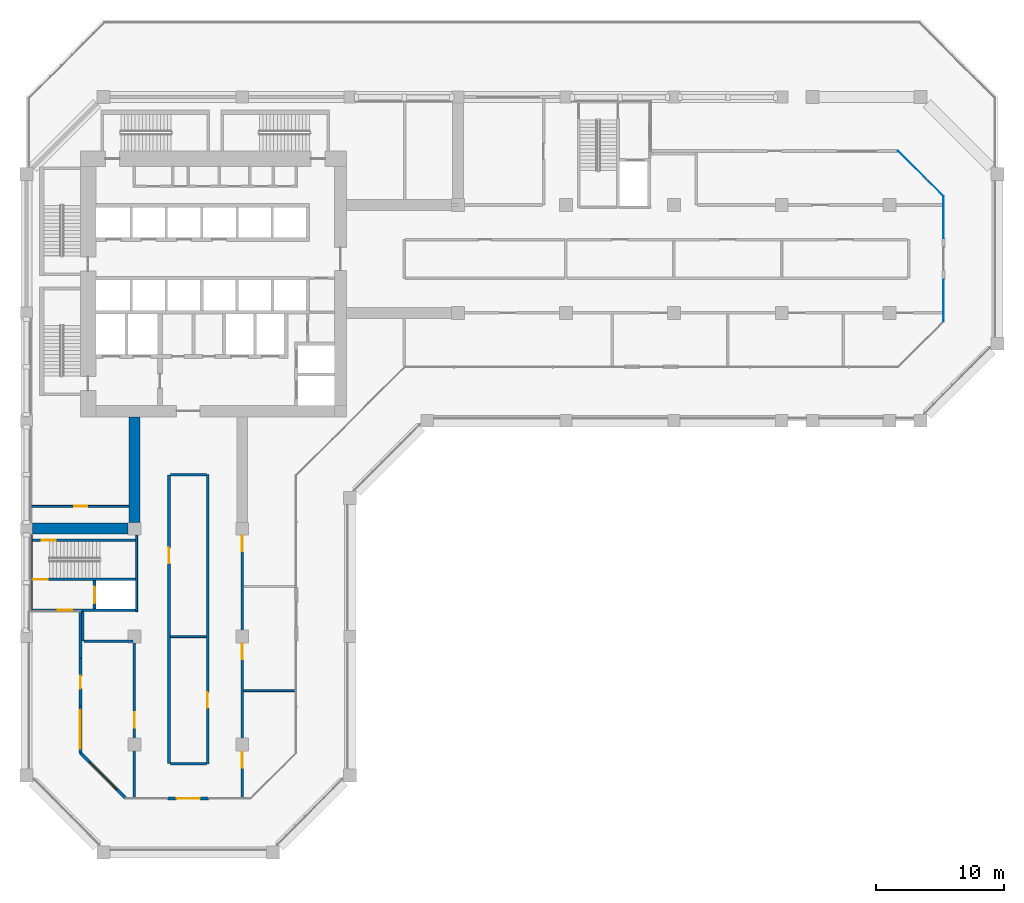
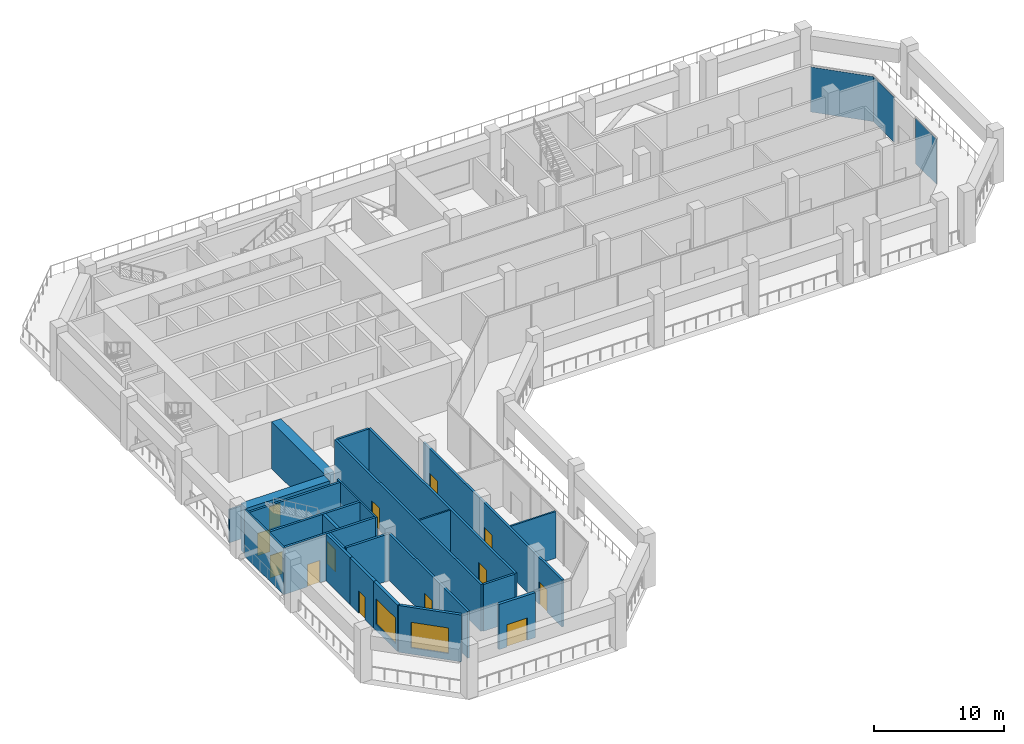
# One storey, part 6 of 19: 24 walls, 13 doors, 3 plates, 2 windows, 15 openings, 2 elements without a shape of their own.
"""IFC4 building model written with IfcOpenShell, lengths in metres."""

from ifc_helpers import new_model, si_unit, direction, frame, frame_2d, origin, origin_2d, place, context, subcontext, project, spatial, rectangle, extrude, material, layer, layer_set, type_object, element, fill, aggregate, save


model = new_model("IFC4")

# Units and contexts
model_context = context("Model", 3, precision=1e-05, world=origin(), true_north=direction((0.0, 1.0)))
body_context = subcontext(model_context, "Body", "Model", "MODEL_VIEW")
ifc_project = project(units=[si_unit("LENGTHUNIT", "METRE"), si_unit("AREAUNIT", "SQUARE_METRE"), si_unit("VOLUMEUNIT", "CUBIC_METRE"), si_unit("PLANEANGLEUNIT", "RADIAN"), si_unit("MASSUNIT", "GRAM", prefix="KILO")], contexts=[model_context])

# Site, building, storey
site_placement = place(None, origin())
site = spatial("IfcSite", under=ifc_project, at=site_placement, CompositionType="ELEMENT")
building_placement = place(site_placement, origin())
building = spatial("IfcBuilding", under=site, at=building_placement, Name="Kawkab Arch Medical Tower", CompositionType="ELEMENT")
storey_placement = place(building_placement, frame((0.0, 0.0, 153.39990234375)))
storey = spatial("IfcBuildingStorey", under=building, at=storey_placement, Name="L35", CompositionType="ELEMENT", Elevation=153.39990234375)

# Curtain wall, plates
ifc_material_1 = material(Name="Bronze anodised aluminium curtain wall frame", Category="aluminium")
ifc_layer_1 = layer(ifc_material_1, 0.159912109375)
ifc_layer_set_1 = layer_set([ifc_layer_1], Name="Bronze anodised aluminium curtain wall frame")
curtain_wall_type = type_object("IfcCurtainWallType", Name="CW4 refuge floor fire-protected glazing", PredefinedType="NOTDEFINED", material=ifc_layer_set_1)
placement = place(storey_placement, origin())
curtain_wall_1 = element("IfcCurtainWall", 1, at=placement, inside=storey, type_object=curtain_wall_type, Name="CW4 Refuge floor fire-protected glazing R13", PredefinedType="NOTDEFINED")
ifc_material_2 = material(Name="Fire-resisting laminated glass", Category="glass")
ifc_layer_2 = layer(ifc_material_2, 0.0400390625)
ifc_layer_set_2 = layer_set([ifc_layer_2], Name="Fire-resisting laminated glass")
plate_type = type_object("IfcPlateType", Name="CW4 glazing unit 40", PredefinedType="CURTAIN_PANEL", material=ifc_layer_set_2)
plate_1_placement = place(storey_placement, frame((71.40087890625, -15.840087890625, 0.0), z_axis=(0.0, 0.0, 1.0), x_axis=(0.0, 1.0, 0.0)))
plate_1 = element("IfcPlate", 2, at=plate_1_placement, type_object=plate_type, Name="CW4 glazing unit 1.1", PredefinedType="CURTAIN_PANEL", context=body_context, shape_type="SweptSolid", body=[
    extrude(rectangle(XDim=3.239990234375, YDim=0.0400390625, at=origin_2d()), origin(), (0.0, 0.0, 1.0), 4.239990234375),
])
plate_2_placement = place(storey_placement, frame((71.40087890625, -9.360107421875, 0.0), z_axis=(0.0, 0.0, 1.0), x_axis=(0.0, 1.0, 0.0)))
plate_2 = element("IfcPlate", 3, at=plate_2_placement, type_object=plate_type, Name="CW4 glazing unit 3.1", PredefinedType="CURTAIN_PANEL", context=body_context, shape_type="SweptSolid", body=[
    extrude(rectangle(XDim=3.239990234375, YDim=0.0400390625, at=origin_2d()), origin(), (0.0, 0.0, 1.0), 4.239990234375),
])
aggregate(curtain_wall_1, [plate_1, plate_2])

# Curtain wall, plate
curtain_wall_2 = element("IfcCurtainWall", 4, at=placement, inside=storey, type_object=curtain_wall_type, Name="CW4 Refuge floor fire-protected glazing R14", PredefinedType="NOTDEFINED")
plate_3_placement = place(storey_placement, frame((69.6298828125, -5.969970703125, 0.0), z_axis=(0.0, 0.0, 1.0), x_axis=(-0.707106781187, 0.707106781187, 0.0)))
plate_3 = element("IfcPlate", 5, at=plate_3_placement, type_object=plate_type, Name="CW4 glazing unit 1.1", PredefinedType="CURTAIN_PANEL", context=body_context, shape_type="SweptSolid", body=[
    extrude(rectangle(XDim=5.00634765625, YDim=0.0400390625, at=origin_2d()), origin(), (0.0, 0.0, 1.0), 4.239990234375),
])
aggregate(curtain_wall_2, [plate_3])

# Walls
ifc_material_3 = material(Name="Concrete C50/60", Category="concrete")
ifc_layer_3 = layer(ifc_material_3, 0.85009765625)
ifc_layer_set_3 = layer_set([ifc_layer_3], Name="Concrete C50/60")
wall_type_1 = type_object("IfcWallType", Name="Belt wall 850 C50/60", PredefinedType="SHEAR", material=ifc_layer_set_3)
wall_1_placement = place(storey_placement, frame((8.39990234375, -24.89990234375, 0.0), z_axis=(0.0, 0.0, 1.0), x_axis=(0.0, -1.0, 0.0)))
element("IfcWall", 6, at=wall_1_placement, inside=storey, type_object=wall_type_1, Name="Belt wall BW-L35-4", PredefinedType="SHEAR", context=body_context, shape_type="SweptSolid", body=[
    extrude(rectangle(XDim=8.2001953125, YDim=0.85009765625, at=frame_2d((4.10009765625, 0.0))), origin(), (0.0, 0.0, 1.0), 4.400146484375),
])
wall_2_placement = place(storey_placement, frame((0.47509765625, -33.60009765625, 0.0), z_axis=(0.0, 0.0, 1.0), x_axis=(1.0, 0.0, 0.0)))
element("IfcWall", 7, at=wall_2_placement, inside=storey, type_object=wall_type_1, Name="Belt wall BW-L35-6", PredefinedType="SHEAR", context=body_context, shape_type="SweptSolid", body=[
    extrude(rectangle(XDim=7.4248046875, YDim=0.85009765625, at=frame_2d((3.71240234375, 0.0))), origin(), (0.0, 0.0, 1.0), 4.400146484375),
])

# Wall, opening, door
ifc_material_4 = material(Name="Concrete C60/75", Category="concrete")
ifc_layer_4 = layer(ifc_material_4, 0.25)
ifc_layer_set_4 = layer_set([ifc_layer_4], Name="Concrete C60/75")
wall_type_2 = type_object("IfcWallType", Name="Core shear wall 250 C60/75", PredefinedType="SHEAR", material=ifc_layer_set_4)
wall_3_placement = place(storey_placement, frame((5.300048828125, -39.85009765625, 0.0), z_axis=(0.0, 0.0, 1.0), x_axis=(0.0, 1.0, 0.0)))
wall_3 = element("IfcWall", 8, at=wall_3_placement, inside=storey, type_object=wall_type_2, Name="L35 core shear wall", PredefinedType="SHEAR", context=body_context, shape_type="SweptSolid", body=[
    extrude(rectangle(XDim=2.2001953125, YDim=0.25, at=frame_2d((1.10009765625, 0.0))), origin(), (0.0, 0.0, 1.0), 4.400146484375),
])
opening_1_placement = place(wall_3_placement, frame((0.449951171875, 0.0, 0.0)))
opening_1 = element("IfcOpeningElement", 9, at=opening_1_placement, cuts=wall_3, Name="Opening LD2", PredefinedType="OPENING", context=body_context, shape_type="SweptSolid", body=[
    extrude(rectangle(XDim=1.300048828125, YDim=2.10009765625, at=frame_2d((0.64990234375, 1.050048828125))), frame((0.0, 0.135009765625, 0.0), z_axis=(0.0, -1.0, 0.0), x_axis=(1.0, 0.0, 0.0)), (0.0, 0.0, 1.0), 0.27001953125),
])
ifc_material_5 = material(Name="Stainless steel lift door leaf", Category="steel")
door_type_1 = type_object("IfcDoorType", Name="Lift landing door 1300", OperationType="DOUBLE_DOOR_SLIDING", PredefinedType="DOOR", material=ifc_material_5)
door_1_placement = place(opening_1_placement, origin())
door_1 = element("IfcDoor", 10, at=door_1_placement, inside=storey, type_object=door_type_1, Name="L35 Lift landing door SV2", OperationType="DOUBLE_DOOR_SLIDING", OverallHeight=2.10009765625, OverallWidth=1.300048828125, PredefinedType="DOOR", context=body_context, shape_type="SweptSolid", body=[
    extrude(rectangle(XDim=1.300048828125, YDim=2.10009765625, at=frame_2d((0.64990234375, 1.050048828125))), frame((0.0, 0.02490234375, 0.0), z_axis=(0.0, -1.0, 0.0), x_axis=(1.0, 0.0, 0.0)), (0.0, 0.0, 1.0), 0.050048828125),
])
fill(opening_1, door_1)

# Wall
ifc_material_6 = material(Name="Bronze clad insulated wall panel")
ifc_layer_5 = layer(ifc_material_6, 0.25)
ifc_layer_set_5 = layer_set([ifc_layer_5], Name="Bronze clad insulated wall panel")
wall_type_3 = type_object("IfcWallType", Name="External wall bay 250", PredefinedType="SOLIDWALL", material=ifc_layer_set_5)
wall_4_placement = place(storey_placement, frame((4.199951171875, -40.050048828125, 0.0), z_axis=(0.0, 0.0, 1.0), x_axis=(0.0, -1.0, 0.0)))
element("IfcWall", 11, at=wall_4_placement, inside=storey, type_object=wall_type_3, Name="Plant wall L35.R05.1", PredefinedType="SOLIDWALL", context=body_context, shape_type="SweptSolid", body=[
    extrude(rectangle(XDim=3.669921875, YDim=0.25, at=frame_2d((1.8349609375, 0.0))), origin(), (0.0, 0.0, 1.0), 4.400146484375),
])

# Wall, opening, door
wall_5_placement = place(storey_placement, frame((4.199951171875, -43.719970703125, 0.0), z_axis=(0.0, 0.0, 1.0), x_axis=(0.0, -1.0, 0.0)))
wall_5 = element("IfcWall", 12, at=wall_5_placement, inside=storey, type_object=wall_type_3, Name="Plant wall L35.R05.2", PredefinedType="SOLIDWALL", context=body_context, shape_type="SweptSolid", body=[
    extrude(rectangle(XDim=3.669921875, YDim=0.25, at=frame_2d((1.8349609375, 0.0))), origin(), (0.0, 0.0, 1.0), 4.400146484375),
])
opening_2_placement = place(wall_5_placement, frame((1.3349609375, 0.0, 0.0)))
opening_2 = element("IfcOpeningElement", 13, at=opening_2_placement, cuts=wall_5, Name="Opening PL2A-701", PredefinedType="OPENING", context=body_context, shape_type="SweptSolid", body=[
    extrude(rectangle(XDim=1.0, YDim=2.10009765625, at=frame_2d((0.5, 1.050048828125))), frame((0.0, 0.135009765625, 0.0), z_axis=(0.0, -1.0, 0.0), x_axis=(1.0, 0.0, 0.0)), (0.0, 0.0, 1.0), 0.27001953125),
])
ifc_material_7 = material(Name="Bronze anodised aluminium door with tinted glass", Category="aluminium")
door_type_2 = type_object("IfcDoorType", Name="Single external door 1000 x 2100", OperationType="SINGLE_SWING_LEFT", PredefinedType="DOOR", material=ifc_material_7)
door_2_placement = place(opening_2_placement, origin())
door_2 = element("IfcDoor", 14, at=door_2_placement, inside=storey, type_object=door_type_2, Name="Roof terrace door L35.R05.2", OperationType="SINGLE_SWING_LEFT", OverallHeight=2.10009765625, OverallWidth=1.0, PredefinedType="DOOR", context=body_context, shape_type="SweptSolid", body=[
    extrude(rectangle(XDim=1.0, YDim=2.10009765625, at=frame_2d((0.5, 1.050048828125))), frame((0.0, 0.02490234375, 0.0), z_axis=(0.0, -1.0, 0.0), x_axis=(1.0, 0.0, 0.0)), (0.0, 0.0, 1.0), 0.050048828125),
])
fill(opening_2, door_2)

# Wall, opening, window
wall_6_placement = place(storey_placement, frame((4.199951171875, -47.389892578125, 0.0), z_axis=(0.0, 0.0, 1.0), x_axis=(0.0, -1.0, 0.0)))
wall_6 = element("IfcWall", 15, at=wall_6_placement, inside=storey, type_object=wall_type_3, Name="Plant wall L35.R05.3", PredefinedType="SOLIDWALL", context=body_context, shape_type="SweptSolid", body=[
    extrude(rectangle(XDim=3.670166015625, YDim=0.25, at=frame_2d((1.8349609375, 0.0))), origin(), (0.0, 0.0, 1.0), 4.400146484375),
])
opening_3_placement = place(wall_6_placement, frame((0.3349609375, 0.0, 0.60009765625)))
opening_3 = element("IfcOpeningElement", 16, at=opening_3_placement, cuts=wall_6, Name="Opening PW300-24-S6", PredefinedType="OPENING", context=body_context, shape_type="SweptSolid", body=[
    extrude(rectangle(XDim=3.0, YDim=2.39990234375, at=frame_2d((1.5, 1.199951171875))), frame((0.0, 0.135009765625, 0.0), z_axis=(0.0, -1.0, 0.0), x_axis=(1.0, 0.0, 0.0)), (0.0, 0.0, 1.0), 0.27001953125),
])
ifc_material_8 = material(Name="Bronze anodised aluminium louvred window", Category="aluminium")
window_type = type_object("IfcWindowType", Name="Plant louvre window 3000 x 2400 sill 600", PartitioningType="DOUBLE_PANEL_VERTICAL", PredefinedType="WINDOW", material=ifc_material_8)
window_1_placement = place(opening_3_placement, origin())
window_1 = element("IfcWindow", 17, at=window_1_placement, inside=storey, type_object=window_type, Name="Plant louvre window L35.R05.3", OverallHeight=2.39990234375, OverallWidth=3.0, PartitioningType="SINGLE_PANEL", PredefinedType="WINDOW", context=body_context, shape_type="SweptSolid", body=[
    extrude(rectangle(XDim=3.0, YDim=2.39990234375, at=frame_2d((1.5, 1.199951171875))), frame((0.0, 0.030029296875, 0.0), z_axis=(0.0, -1.0, 0.0), x_axis=(1.0, 0.0, 0.0)), (0.0, 0.0, 1.0), 0.06005859375),
])
fill(opening_3, window_1)

wall_7_placement = place(storey_placement, frame((4.199951171875, -51.06005859375, 0.0), z_axis=(0.0, 0.0, 1.0), x_axis=(0.707106781187, -0.707106781187, 0.0)))
wall_7 = element("IfcWall", 18, at=wall_7_placement, inside=storey, type_object=wall_type_3, Name="Plant wall L35.R06.1", PredefinedType="SOLIDWALL", context=body_context, shape_type="SweptSolid", body=[
    extrude(rectangle(XDim=5.00634765625, YDim=0.25, at=frame_2d((2.503173828125, 0.0))), origin(), (0.0, 0.0, 1.0), 4.400146484375),
])
opening_4_placement = place(wall_7_placement, frame((1.003173828125, 0.0, 0.60009765625)))
opening_4 = element("IfcOpeningElement", 19, at=opening_4_placement, cuts=wall_7, Name="Opening PW300-24-S6", PredefinedType="OPENING", context=body_context, shape_type="SweptSolid", body=[
    extrude(rectangle(XDim=3.0, YDim=2.39990234375, at=frame_2d((1.5, 1.199951171875))), frame((0.0, 0.135009765625, 0.0), z_axis=(0.0, -1.0, 0.0), x_axis=(1.0, 0.0, 0.0)), (0.0, 0.0, 1.0), 0.27001953125),
])
window_2_placement = place(opening_4_placement, origin())
window_2 = element("IfcWindow", 20, at=window_2_placement, inside=storey, type_object=window_type, Name="Plant louvre window L35.R06.1", OverallHeight=2.39990234375, OverallWidth=3.0, PartitioningType="SINGLE_PANEL", PredefinedType="WINDOW", context=body_context, shape_type="SweptSolid", body=[
    extrude(rectangle(XDim=3.0, YDim=2.39990234375, at=frame_2d((1.5, 1.199951171875))), frame((0.0, 0.030029296875, 0.0), z_axis=(0.0, -1.0, 0.0), x_axis=(1.0, 0.0, 0.0)), (0.0, 0.0, 1.0), 0.06005859375),
])
fill(opening_4, window_2)

# Wall, opening, door
wall_8_placement = place(storey_placement, frame((10.97998046875, -54.60107421875, 0.0), z_axis=(0.0, 0.0, 1.0), x_axis=(1.0, 0.0, 0.0)))
wall_8 = element("IfcWall", 21, at=wall_8_placement, inside=storey, type_object=wall_type_3, Name="External wall bay L35.R07.2.1", PredefinedType="SOLIDWALL", context=body_context, shape_type="SweptSolid", body=[
    extrude(rectangle(XDim=3.239990234375, YDim=0.25, at=frame_2d((1.6201171875, 0.0))), origin(), (0.0, 0.0, 1.0), 4.239990234375),
])
opening_5_placement = place(wall_8_placement, frame((0.719970703125, 0.0, 0.0)))
opening_5 = element("IfcOpeningElement", 22, at=opening_5_placement, cuts=wall_8, Name="Opening PL2A-702", PredefinedType="OPENING", context=body_context, shape_type="SweptSolid", body=[
    extrude(rectangle(XDim=1.800048828125, YDim=2.10009765625, at=frame_2d((0.89990234375, 1.050048828125))), frame((0.0, 0.135009765625, 0.0), z_axis=(0.0, -1.0, 0.0), x_axis=(1.0, 0.0, 0.0)), (0.0, 0.0, 1.0), 0.27001953125),
])
ifc_material_9 = material(Name="Bronze anodised aluminium door with tinted glass", Category="aluminium")
door_type_3 = type_object("IfcDoorType", Name="Double external door 1800 x 2100", OperationType="DOUBLE_DOOR_SINGLE_SWING", PredefinedType="DOOR", material=ifc_material_9)
door_3_placement = place(opening_5_placement, origin())
door_3 = element("IfcDoor", 23, at=door_3_placement, inside=storey, type_object=door_type_3, Name="External door L35.R07.2.1", OperationType="DOUBLE_DOOR_SINGLE_SWING", OverallHeight=2.10009765625, OverallWidth=1.800048828125, PredefinedType="DOOR", context=body_context, shape_type="SweptSolid", body=[
    extrude(rectangle(XDim=1.800048828125, YDim=2.10009765625, at=frame_2d((0.89990234375, 1.050048828125))), frame((0.0, 0.02490234375, 0.0), z_axis=(0.0, -1.0, 0.0), x_axis=(1.0, 0.0, 0.0)), (0.0, 0.0, 1.0), 0.050048828125),
])
fill(opening_5, door_3)

# Walls
ifc_material_10 = material(Name="Gypsum board partition on steel studs, mineral wool", Category="steel")
ifc_layer_6 = layer(ifc_material_10, 0.14990234375)
ifc_layer_set_6 = layer_set([ifc_layer_6], Name="Gypsum board partition on steel studs, mineral wool")
wall_type_4 = type_object("IfcWallType", Name="Partition 150", PredefinedType="PARTITIONING", material=ifc_layer_set_6)
wall_9_placement = place(storey_placement, frame((16.89990234375, -46.199951171875, 0.0), z_axis=(0.0, 0.0, 1.0), x_axis=(1.0, 0.0, 0.0)))
element("IfcWall", 24, at=wall_9_placement, inside=storey, type_object=wall_type_4, Name="Partition 150 w001", PredefinedType="PARTITIONING", context=body_context, shape_type="SweptSolid", body=[
    extrude(rectangle(XDim=4.02001953125, YDim=0.14990234375, at=frame_2d((2.010009765625, 0.0))), origin(), (0.0, 0.0, 1.0), 4.400146484375),
])
wall_10_placement = place(storey_placement, frame((11.199951171875, -42.0, 0.0), z_axis=(0.0, 0.0, 1.0), x_axis=(1.0, 0.0, 0.0)))
element("IfcWall", 25, at=wall_10_placement, inside=storey, type_object=wall_type_4, Name="Partition 150 w002", PredefinedType="PARTITIONING", context=body_context, shape_type="SweptSolid", body=[
    extrude(rectangle(XDim=2.800048828125, YDim=0.14990234375, at=frame_2d((1.39990234375, 0.0))), origin(), (0.0, 0.0, 1.0), 4.400146484375),
])

# Wall, opening, door
wall_11_placement = place(storey_placement, frame((0.199951171875, -31.85693359375, 0.0), z_axis=(0.0, 0.0, 1.0), x_axis=(1.0, 0.0, 0.0)))
wall_11 = element("IfcWall", 26, at=wall_11_placement, inside=storey, type_object=wall_type_4, Name="Partition 150 w004", PredefinedType="PARTITIONING", context=body_context, shape_type="SweptSolid", body=[
    extrude(rectangle(XDim=7.776123046875, YDim=0.14990234375, at=frame_2d((3.88818359375, 0.0))), origin(), (0.0, 0.0, 1.0), 3.10009765625),
])
opening_6_placement = place(wall_11_placement, frame((3.541015625, 0.0, 0.0)))
opening_6 = element("IfcOpeningElement", 27, at=opening_6_placement, cuts=wall_11, Name="Opening PL2A-002", PredefinedType="OPENING", context=body_context, shape_type="SweptSolid", body=[
    extrude(rectangle(XDim=1.0, YDim=2.10009765625, at=frame_2d((0.5, 1.050048828125))), frame((0.0, 0.0849609375, 0.0), z_axis=(0.0, -1.0, 0.0), x_axis=(1.0, 0.0, 0.0)), (0.0, 0.0, 1.0), 0.169921875),
])
ifc_material_11 = material(Name="Hollow metal door leaf")
door_type_4 = type_object("IfcDoorType", Name="Single door 1000x2100 FD30S", OperationType="NOTDEFINED", PredefinedType="DOOR", material=ifc_material_11)
door_4_placement = place(opening_6_placement, origin())
door_4 = element("IfcDoor", 28, at=door_4_placement, inside=storey, type_object=door_type_4, Name="Door PL2A-002", OperationType="SINGLE_SWING_LEFT", OverallHeight=2.10009765625, OverallWidth=1.0, PredefinedType="DOOR", context=body_context, shape_type="SweptSolid", body=[
    extrude(rectangle(XDim=1.0, YDim=2.10009765625, at=frame_2d((0.5, 1.050048828125))), frame((0.0, 0.02490234375, 0.0), z_axis=(0.0, -1.0, 0.0), x_axis=(1.0, 0.0, 0.0)), (0.0, 0.0, 1.0), 0.050048828125),
])
fill(opening_6, door_4)

# Walls
ifc_material_12 = material(Name="Fire-rated gypsum board partition on steel studs", Category="steel")
ifc_layer_7 = layer(ifc_material_12, 0.199951171875)
ifc_layer_set_7 = layer_set([ifc_layer_7], Name="Fire-rated gypsum board partition on steel studs")
wall_type_5 = type_object("IfcWallType", Name="Protected partition 200", PredefinedType="PARTITIONING", material=ifc_layer_set_7)
wall_12_placement = place(storey_placement, frame((11.202880859375, -51.89990234375, 0.0), z_axis=(0.0, 0.0, 1.0), x_axis=(1.0, 0.0, 0.0)))
element("IfcWall", 29, at=wall_12_placement, inside=storey, type_object=wall_type_5, Name="Protected partition 200 w012", PredefinedType="PARTITIONING", context=body_context, shape_type="SweptSolid", body=[
    extrude(rectangle(XDim=2.797119140625, YDim=0.199951171875, at=frame_2d((1.3984375, 0.0))), origin(), (0.0, 0.0, 1.0), 4.400146484375),
])
wall_13_placement = place(storey_placement, frame((4.5009765625, -42.35009765625, 0.0), z_axis=(0.0, 0.0, 1.0), x_axis=(1.0, 0.0, 0.0)))
element("IfcWall", 30, at=wall_13_placement, inside=storey, type_object=wall_type_5, Name="Protected partition 200 w013", PredefinedType="PARTITIONING", context=body_context, shape_type="SweptSolid", body=[
    extrude(rectangle(XDim=3.797119140625, YDim=0.199951171875, at=frame_2d((1.8984375, 0.0))), origin(), (0.0, 0.0, 1.0), 4.400146484375),
])
wall_14_placement = place(storey_placement, frame((11.202880859375, -29.39990234375, 0.0), z_axis=(0.0, 0.0, 1.0), x_axis=(1.0, 0.0, 0.0)))
element("IfcWall", 31, at=wall_14_placement, inside=storey, type_object=wall_type_5, Name="Protected partition 200 w014", PredefinedType="PARTITIONING", context=body_context, shape_type="SweptSolid", body=[
    extrude(rectangle(XDim=2.797119140625, YDim=0.199951171875, at=frame_2d((1.3984375, 0.0))), origin(), (0.0, 0.0, 1.0), 4.400146484375),
])
wall_15_placement = place(storey_placement, frame((4.39990234375, -42.347900390625, 0.0), z_axis=(0.0, 0.0, 1.0), x_axis=(0.0, 1.0, 0.0)))
element("IfcWall", 32, at=wall_15_placement, inside=storey, type_object=wall_type_5, Name="Protected partition 200 w022", PredefinedType="PARTITIONING", context=body_context, shape_type="SweptSolid", body=[
    extrude(rectangle(XDim=2.296875, YDim=0.199951171875, at=frame_2d((1.1484375, 0.0))), origin(), (0.0, 0.0, 1.0), 4.400146484375),
])

# Wall, opening, door
wall_16_placement = place(storey_placement, frame((8.39990234375, -54.52099609375, 0.0), z_axis=(0.0, 0.0, 1.0), x_axis=(0.0, 1.0, 0.0)))
wall_16 = element("IfcWall", 33, at=wall_16_placement, inside=storey, type_object=wall_type_5, Name="Protected partition 200 w023", PredefinedType="PARTITIONING", context=body_context, shape_type="SweptSolid", body=[
    extrude(rectangle(XDim=12.169921875, YDim=0.199951171875, at=frame_2d((6.0849609375, 0.0))), origin(), (0.0, 0.0, 1.0), 4.400146484375),
])
opening_7_placement = place(wall_16_placement, frame((5.445068359375, 0.0, 0.0)))
opening_7 = element("IfcOpeningElement", 34, at=opening_7_placement, cuts=wall_16, Name="Opening PL2A-017", PredefinedType="OPENING", context=body_context, shape_type="SweptSolid", body=[
    extrude(rectangle(XDim=1.199951171875, YDim=2.10009765625, at=frame_2d((0.60009765625, 1.050048828125))), frame((0.0, 0.10986328125, 0.0), z_axis=(0.0, -1.0, 0.0), x_axis=(1.0, 0.0, 0.0)), (0.0, 0.0, 1.0), 0.219970703125),
])
ifc_material_13 = material(Name="Hollow metal door leaf")
door_type_5 = type_object("IfcDoorType", Name="Single door 1200x2100 FD90", OperationType="NOTDEFINED", PredefinedType="DOOR", material=ifc_material_13)
door_5_placement = place(opening_7_placement, origin())
door_5 = element("IfcDoor", 35, at=door_5_placement, inside=storey, type_object=door_type_5, Name="Door PL2A-017", OperationType="SINGLE_SWING_LEFT", OverallHeight=2.10009765625, OverallWidth=1.199951171875, PredefinedType="DOOR", context=body_context, shape_type="SweptSolid", body=[
    extrude(rectangle(XDim=1.199951171875, YDim=2.10009765625, at=frame_2d((0.60009765625, 1.050048828125))), frame((0.0, 0.02490234375, 0.0), z_axis=(0.0, -1.0, 0.0), x_axis=(1.0, 0.0, 0.0)), (0.0, 0.0, 1.0), 0.050048828125),
])
fill(opening_7, door_5)

wall_17_placement = place(storey_placement, frame((11.10009765625, -51.89697265625, 0.0), z_axis=(0.0, 0.0, 1.0), x_axis=(0.0, 1.0, 0.0)))
wall_17 = element("IfcWall", 36, at=wall_17_placement, inside=storey, type_object=wall_type_5, Name="Protected partition 200 w024", PredefinedType="PARTITIONING", context=body_context, shape_type="SweptSolid", body=[
    extrude(rectangle(XDim=22.493896484375, YDim=0.199951171875, at=frame_2d((11.2470703125, 0.0))), origin(), (0.0, 0.0, 1.0), 4.400146484375),
])
opening_8_placement = place(wall_17_placement, frame((15.595947265625, 0.0, 0.0)))
opening_8 = element("IfcOpeningElement", 37, at=opening_8_placement, cuts=wall_17, Name="Opening PL2A-011", PredefinedType="OPENING", context=body_context, shape_type="SweptSolid", body=[
    extrude(rectangle(XDim=1.199951171875, YDim=2.10009765625, at=frame_2d((0.60009765625, 1.050048828125))), frame((0.0, 0.10986328125, 0.0), z_axis=(0.0, -1.0, 0.0), x_axis=(1.0, 0.0, 0.0)), (0.0, 0.0, 1.0), 0.219970703125),
])
ifc_material_14 = material(Name="Hollow metal door leaf")
door_type_6 = type_object("IfcDoorType", Name="Single door 1200x2100 FD60", OperationType="NOTDEFINED", PredefinedType="DOOR", material=ifc_material_14)
door_6_placement = place(opening_8_placement, origin())
door_6 = element("IfcDoor", 38, at=door_6_placement, inside=storey, type_object=door_type_6, Name="Door PL2A-011", OperationType="SINGLE_SWING_LEFT", OverallHeight=2.10009765625, OverallWidth=1.199951171875, PredefinedType="DOOR", context=body_context, shape_type="SweptSolid", body=[
    extrude(rectangle(XDim=1.199951171875, YDim=2.10009765625, at=frame_2d((0.60009765625, 1.050048828125))), frame((0.0, 0.02490234375, 0.0), z_axis=(0.0, -1.0, 0.0), x_axis=(1.0, 0.0, 0.0)), (0.0, 0.0, 1.0), 0.050048828125),
])
fill(opening_8, door_6)

wall_18_placement = place(storey_placement, frame((14.10009765625, -51.89990234375, 0.0), z_axis=(0.0, 0.0, 1.0), x_axis=(0.0, 1.0, 0.0)))
wall_18 = element("IfcWall", 39, at=wall_18_placement, inside=storey, type_object=wall_type_5, Name="Protected partition 200 w025", PredefinedType="PARTITIONING", context=body_context, shape_type="SweptSolid", body=[
    extrude(rectangle(XDim=22.5, YDim=0.199951171875, at=frame_2d((11.25, 0.0))), origin(), (0.0, 0.0, 1.0), 4.400146484375),
])
opening_9_placement = place(wall_18_placement, frame((4.35009765625, 0.0, 0.0)))
opening_9 = element("IfcOpeningElement", 40, at=opening_9_placement, cuts=wall_18, Name="Opening PL2A-012", PredefinedType="OPENING", context=body_context, shape_type="SweptSolid", body=[
    extrude(rectangle(XDim=1.199951171875, YDim=2.10009765625, at=frame_2d((0.60009765625, 1.050048828125))), frame((0.0, 0.10986328125, 0.0), z_axis=(0.0, -1.0, 0.0), x_axis=(1.0, 0.0, 0.0)), (0.0, 0.0, 1.0), 0.219970703125),
])
door_7_placement = place(opening_9_placement, origin())
door_7 = element("IfcDoor", 41, at=door_7_placement, inside=storey, type_object=door_type_6, Name="Door PL2A-012", OperationType="SINGLE_SWING_LEFT", OverallHeight=2.10009765625, OverallWidth=1.199951171875, PredefinedType="DOOR", context=body_context, shape_type="SweptSolid", body=[
    extrude(rectangle(XDim=1.199951171875, YDim=2.10009765625, at=frame_2d((0.60009765625, 1.050048828125))), frame((0.0, 0.02490234375, 0.0), z_axis=(0.0, -1.0, 0.0), x_axis=(1.0, 0.0, 0.0)), (0.0, 0.0, 1.0), 0.050048828125),
])
fill(opening_9, door_7)

# Wall, openings, doors
wall_19_placement = place(storey_placement, frame((16.800048828125, -54.52099609375, 0.0), z_axis=(0.0, 0.0, 1.0), x_axis=(0.0, 1.0, 0.0)))
wall_19 = element("IfcWall", 42, at=wall_19_placement, inside=storey, type_object=wall_type_5, Name="Protected partition 200 w026", PredefinedType="PARTITIONING", context=body_context, shape_type="SweptSolid", body=[
    extrude(rectangle(XDim=21.4208984375, YDim=0.199951171875, at=frame_2d((10.71044921875, 0.0))), origin(), (0.0, 0.0, 1.0), 4.400146484375),
])
opening_10_placement = place(wall_19_placement, frame((19.1708984375, 0.0, 0.0)))
opening_10 = element("IfcOpeningElement", 43, at=opening_10_placement, cuts=wall_19, Name="Opening PL2A-013", PredefinedType="OPENING", context=body_context, shape_type="SweptSolid", body=[
    extrude(rectangle(XDim=1.199951171875, YDim=2.10009765625, at=frame_2d((0.60009765625, 1.050048828125))), frame((0.0, 0.10986328125, 0.0), z_axis=(0.0, -1.0, 0.0), x_axis=(1.0, 0.0, 0.0)), (0.0, 0.0, 1.0), 0.219970703125),
])
opening_11_placement = place(wall_19_placement, frame((10.77099609375, 0.0, 0.0)))
opening_11 = element("IfcOpeningElement", 44, at=opening_11_placement, cuts=wall_19, Name="Opening PL2A-014", PredefinedType="OPENING", context=body_context, shape_type="SweptSolid", body=[
    extrude(rectangle(XDim=1.199951171875, YDim=2.10009765625, at=frame_2d((0.60009765625, 1.050048828125))), frame((0.0, 0.10986328125, 0.0), z_axis=(0.0, -1.0, 0.0), x_axis=(1.0, 0.0, 0.0)), (0.0, 0.0, 1.0), 0.219970703125),
])
opening_12_placement = place(wall_19_placement, frame((2.321044921875, 0.0, 0.0)))
opening_12 = element("IfcOpeningElement", 45, at=opening_12_placement, cuts=wall_19, Name="Opening PL2A-015", PredefinedType="OPENING", context=body_context, shape_type="SweptSolid", body=[
    extrude(rectangle(XDim=1.199951171875, YDim=2.10009765625, at=frame_2d((0.60009765625, 1.050048828125))), frame((0.0, 0.10986328125, 0.0), z_axis=(0.0, -1.0, 0.0), x_axis=(1.0, 0.0, 0.0)), (0.0, 0.0, 1.0), 0.219970703125),
])
door_8_placement = place(opening_10_placement, origin())
door_8 = element("IfcDoor", 46, at=door_8_placement, inside=storey, type_object=door_type_6, Name="Door PL2A-013", OperationType="SINGLE_SWING_LEFT", OverallHeight=2.10009765625, OverallWidth=1.199951171875, PredefinedType="DOOR", context=body_context, shape_type="SweptSolid", body=[
    extrude(rectangle(XDim=1.199951171875, YDim=2.10009765625, at=frame_2d((0.60009765625, 1.050048828125))), frame((0.0, 0.02490234375, 0.0), z_axis=(0.0, -1.0, 0.0), x_axis=(1.0, 0.0, 0.0)), (0.0, 0.0, 1.0), 0.050048828125),
])
fill(opening_10, door_8)
door_9_placement = place(opening_11_placement, origin())
door_9 = element("IfcDoor", 47, at=door_9_placement, inside=storey, type_object=door_type_6, Name="Door PL2A-014", OperationType="SINGLE_SWING_LEFT", OverallHeight=2.10009765625, OverallWidth=1.199951171875, PredefinedType="DOOR", context=body_context, shape_type="SweptSolid", body=[
    extrude(rectangle(XDim=1.199951171875, YDim=2.10009765625, at=frame_2d((0.60009765625, 1.050048828125))), frame((0.0, 0.02490234375, 0.0), z_axis=(0.0, -1.0, 0.0), x_axis=(1.0, 0.0, 0.0)), (0.0, 0.0, 1.0), 0.050048828125),
])
fill(opening_11, door_9)
door_10_placement = place(opening_12_placement, origin())
door_10 = element("IfcDoor", 48, at=door_10_placement, inside=storey, type_object=door_type_6, Name="Door PL2A-015", OperationType="SINGLE_SWING_RIGHT", OverallHeight=2.10009765625, OverallWidth=1.199951171875, PredefinedType="DOOR", context=body_context, shape_type="SweptSolid", body=[
    extrude(rectangle(XDim=1.199951171875, YDim=2.10009765625, at=frame_2d((0.60009765625, 1.050048828125))), frame((0.0, 0.02490234375, 0.0), z_axis=(0.0, -1.0, 0.0), x_axis=(1.0, 0.0, 0.0)), (0.0, 0.0, 1.0), 0.050048828125),
])
fill(opening_12, door_10)

# Walls
ifc_material_15 = material(Name="Concrete C50/60", Category="concrete")
ifc_layer_8 = layer(ifc_material_15, 0.14990234375)
ifc_layer_set_8 = layer_set([ifc_layer_8], Name="Concrete C50/60")
wall_type_6 = type_object("IfcWallType", Name="Stair enclosure wall 150 C50/60", PredefinedType="SHEAR", material=ifc_layer_set_8)
wall_20_placement = place(storey_placement, frame((0.375, -40.050048828125, 0.0), z_axis=(0.0, 0.0, 1.0), x_axis=(0.0, 1.0, 0.0)))
element("IfcWall", 49, at=wall_20_placement, inside=storey, type_object=wall_type_6, Name="L35 stair enclosure wall", PredefinedType="SHEAR", context=body_context, shape_type="SweptSolid", body=[
    extrude(rectangle(XDim=5.97509765625, YDim=0.14990234375, at=frame_2d((2.987548828125, 0.0))), origin(), (0.0, 0.0, 1.0), 4.400146484375),
])
wall_21_placement = place(storey_placement, frame((8.574951171875, -40.050048828125, 0.0), z_axis=(0.0, 0.0, 1.0), x_axis=(0.0, 1.0, 0.0)))
element("IfcWall", 50, at=wall_21_placement, inside=storey, type_object=wall_type_6, Name="L35 stair enclosure wall", PredefinedType="SHEAR", context=body_context, shape_type="SweptSolid", body=[
    extrude(rectangle(XDim=5.949951171875, YDim=0.14990234375, at=frame_2d((2.97509765625, 0.0))), origin(), (0.0, 0.0, 1.0), 4.400146484375),
])

# Wall, opening, door
ifc_material_16 = material(Name="Concrete C50/60", Category="concrete")
ifc_layer_9 = layer(ifc_material_16, 0.199951171875)
ifc_layer_set_9 = layer_set([ifc_layer_9], Name="Concrete C50/60")
wall_type_7 = type_object("IfcWallType", Name="Stair enclosure wall 200 C50/60", PredefinedType="SHEAR", material=ifc_layer_set_9)
wall_22_placement = place(storey_placement, frame((0.449951171875, -34.5, 0.0), z_axis=(0.0, 0.0, 1.0), x_axis=(1.0, 0.0, 0.0)))
wall_22 = element("IfcWall", 51, at=wall_22_placement, inside=storey, type_object=wall_type_7, Name="L35 stair enclosure wall", PredefinedType="SHEAR", context=body_context, shape_type="SweptSolid", body=[
    extrude(rectangle(XDim=8.050048828125, YDim=0.199951171875, at=frame_2d((4.02490234375, 0.0))), origin(), (0.0, 0.0, 1.0), 4.400146484375),
])
opening_13_placement = place(wall_22_placement, frame((0.75, 0.0, 0.0)))
opening_13 = element("IfcOpeningElement", 52, at=opening_13_placement, cuts=wall_22, Name="Opening SD", PredefinedType="OPENING", context=body_context, shape_type="SweptSolid", body=[
    extrude(rectangle(XDim=1.10009765625, YDim=2.10009765625, at=frame_2d((0.550048828125, 1.050048828125))), frame((0.0, 0.10986328125, 0.0), z_axis=(0.0, -1.0, 0.0), x_axis=(1.0, 0.0, 0.0)), (0.0, 0.0, 1.0), 0.219970703125),
])
ifc_material_17 = material(Name="Hollow metal fire door leaf")
door_type_7 = type_object("IfcDoorType", Name="Exit stair door 1100", OperationType="SINGLE_SWING_LEFT", PredefinedType="DOOR", material=ifc_material_17)
door_11_placement = place(opening_13_placement, origin())
door_11 = element("IfcDoor", 53, at=door_11_placement, inside=storey, type_object=door_type_7, Name="L35 Exit stair ST6 door", OperationType="SINGLE_SWING_LEFT", OverallHeight=2.10009765625, OverallWidth=1.10009765625, PredefinedType="DOOR", context=body_context, shape_type="SweptSolid", body=[
    extrude(rectangle(XDim=1.10009765625, YDim=2.10009765625, at=frame_2d((0.550048828125, 1.050048828125))), frame((0.0, 0.02490234375, 0.0), z_axis=(0.0, -1.0, 0.0), x_axis=(1.0, 0.0, 0.0)), (0.0, 0.0, 1.0), 0.050048828125),
])
fill(opening_13, door_11)

wall_23_placement = place(storey_placement, frame((0.449951171875, -37.550048828125, 0.0), z_axis=(0.0, 0.0, 1.0), x_axis=(1.0, 0.0, 0.0)))
wall_23 = element("IfcWall", 54, at=wall_23_placement, inside=storey, type_object=wall_type_7, Name="L35 stair enclosure wall", PredefinedType="SHEAR", context=body_context, shape_type="SweptSolid", body=[
    extrude(rectangle(XDim=8.050048828125, YDim=0.199951171875, at=frame_2d((4.02490234375, 0.0))), origin(), (0.0, 0.0, 1.0), 4.400146484375),
])
opening_14_placement = place(wall_23_placement, frame((0.10009765625, 0.0, 0.0)))
opening_14 = element("IfcOpeningElement", 55, at=opening_14_placement, cuts=wall_23, Name="Opening SD", PredefinedType="OPENING", context=body_context, shape_type="SweptSolid", body=[
    extrude(rectangle(XDim=1.10009765625, YDim=2.10009765625, at=frame_2d((0.550048828125, 1.050048828125))), frame((0.0, 0.10986328125, 0.0), z_axis=(0.0, -1.0, 0.0), x_axis=(1.0, 0.0, 0.0)), (0.0, 0.0, 1.0), 0.219970703125),
])
door_12_placement = place(opening_14_placement, frame((1.10009765625, 0.0, 0.0), z_axis=(0.0, 0.0, 1.0), x_axis=(-1.0, 0.0, 0.0)))
door_12 = element("IfcDoor", 56, at=door_12_placement, inside=storey, type_object=door_type_7, Name="L35 Exit stair ST6 lobby door", OperationType="SINGLE_SWING_LEFT", OverallHeight=2.10009765625, OverallWidth=1.10009765625, PredefinedType="DOOR", context=body_context, shape_type="SweptSolid", body=[
    extrude(rectangle(XDim=1.10009765625, YDim=2.10009765625, at=frame_2d((0.550048828125, 1.050048828125))), frame((0.0, 0.02490234375, 0.0), z_axis=(0.0, -1.0, 0.0), x_axis=(1.0, 0.0, 0.0)), (0.0, 0.0, 1.0), 0.050048828125),
])
fill(opening_14, door_12)

wall_24_placement = place(storey_placement, frame((0.449951171875, -39.949951171875, 0.0), z_axis=(0.0, 0.0, 1.0), x_axis=(1.0, 0.0, 0.0)))
wall_24 = element("IfcWall", 57, at=wall_24_placement, inside=storey, type_object=wall_type_7, Name="L35 stair enclosure wall", PredefinedType="SHEAR", context=body_context, shape_type="SweptSolid", body=[
    extrude(rectangle(XDim=8.050048828125, YDim=0.199951171875, at=frame_2d((4.02490234375, 0.0))), origin(), (0.0, 0.0, 1.0), 4.400146484375),
])
opening_15_placement = place(wall_24_placement, frame((2.0, 0.0, 0.0)))
opening_15 = element("IfcOpeningElement", 58, at=opening_15_placement, cuts=wall_24, Name="Opening FD", PredefinedType="OPENING", context=body_context, shape_type="SweptSolid", body=[
    extrude(rectangle(XDim=1.10009765625, YDim=2.10009765625, at=frame_2d((0.550048828125, 1.050048828125))), frame((0.0, 0.10986328125, 0.0), z_axis=(0.0, -1.0, 0.0), x_axis=(1.0, 0.0, 0.0)), (0.0, 0.0, 1.0), 0.219970703125),
])
ifc_material_18 = material(Name="Hollow metal fire door leaf")
door_type_8 = type_object("IfcDoorType", Name="Firefighting lobby door 1100", OperationType="SINGLE_SWING_LEFT", PredefinedType="DOOR", material=ifc_material_18)
door_13_placement = place(opening_15_placement, origin())
door_13 = element("IfcDoor", 59, at=door_13_placement, inside=storey, type_object=door_type_8, Name="L35 Service lift lobby door SV2", OperationType="SINGLE_SWING_LEFT", OverallHeight=2.10009765625, OverallWidth=1.10009765625, PredefinedType="DOOR", context=body_context, shape_type="SweptSolid", body=[
    extrude(rectangle(XDim=1.10009765625, YDim=2.10009765625, at=frame_2d((0.550048828125, 1.050048828125))), frame((0.0, 0.02490234375, 0.0), z_axis=(0.0, -1.0, 0.0), x_axis=(1.0, 0.0, 0.0)), (0.0, 0.0, 1.0), 0.050048828125),
])
fill(opening_15, door_13)

save(model, "model.ifc")
